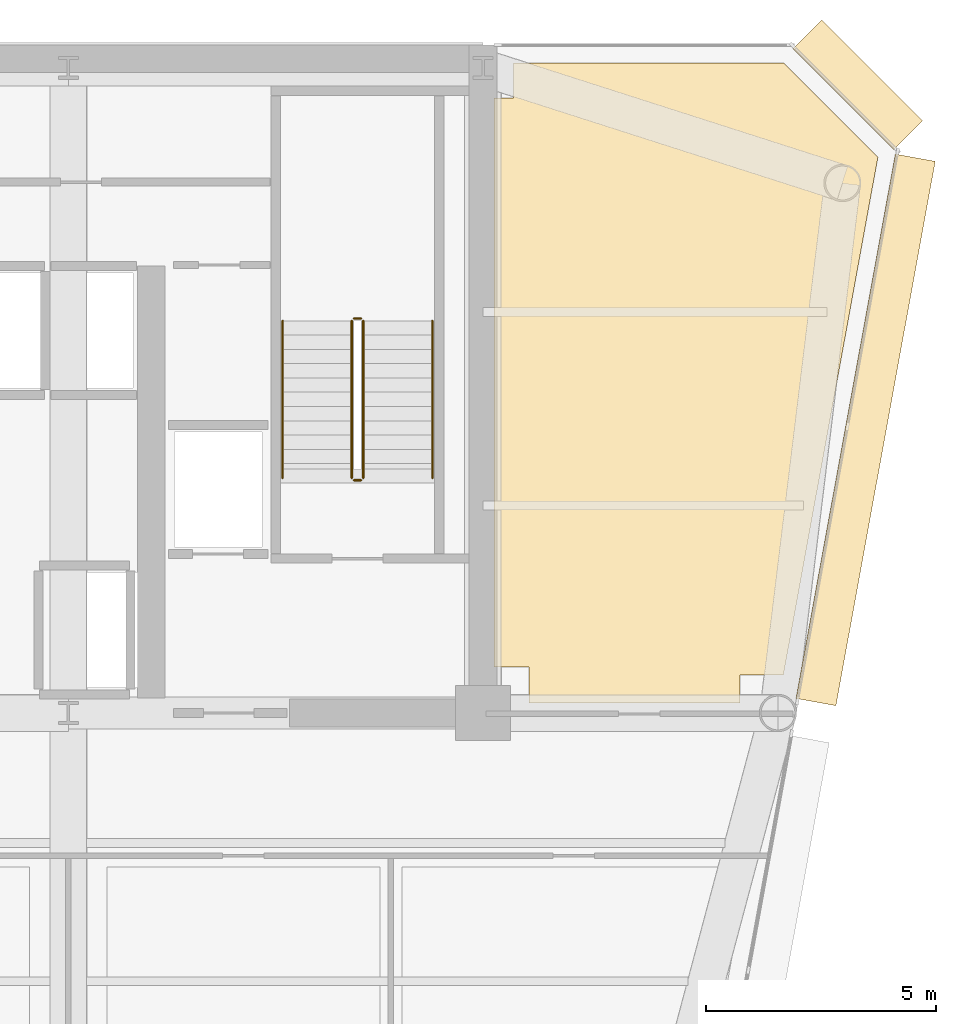
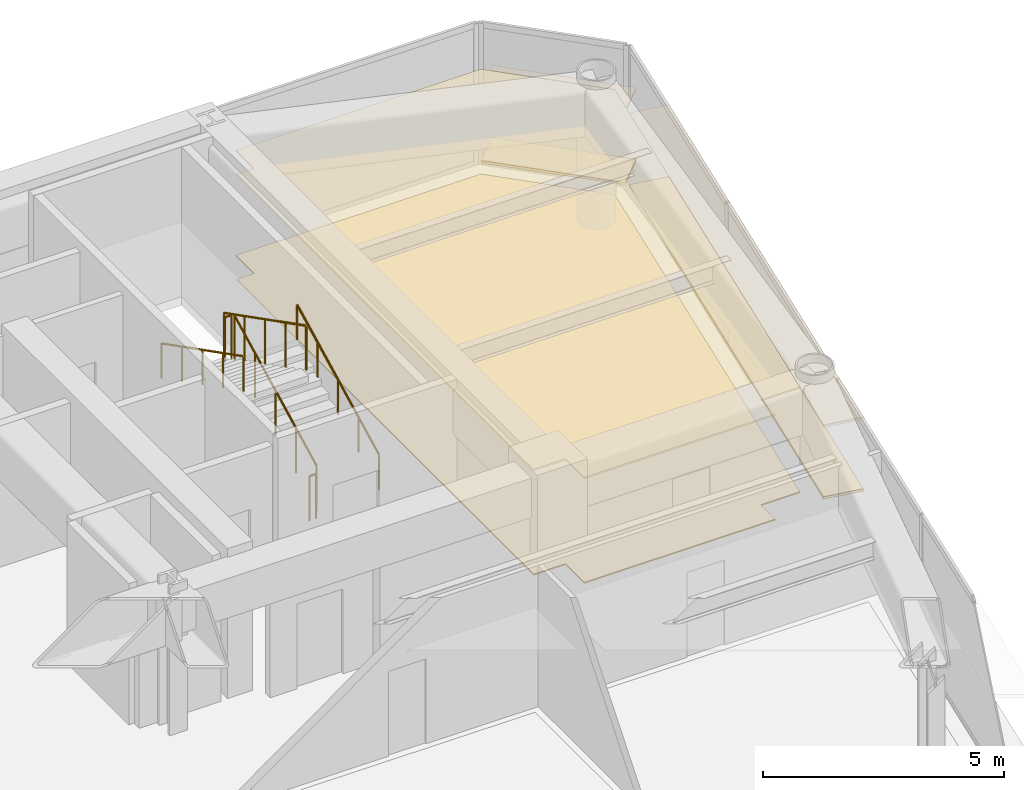
# One storey, part 17 of 17: 6 coverings, 6 railings.
"""IFC4 building model written with IfcOpenShell, lengths in metres."""

from ifc_helpers import new_model, si_unit, direction, frame, origin, origin_2d, place, context, subcontext, project, spatial, polyline, rectangle, circle, outline, extrude, source, transform, mapped, material, layer, layer_set, type_object, element, save


model = new_model("IFC4")

# Units and contexts
model_context = context("Model", 3, precision=1e-05, world=origin(), true_north=direction((0.0, 1.0)))
body_context = subcontext(model_context, "Body", "Model", "MODEL_VIEW")
ifc_project = project(units=[si_unit("LENGTHUNIT", "METRE"), si_unit("AREAUNIT", "SQUARE_METRE"), si_unit("VOLUMEUNIT", "CUBIC_METRE"), si_unit("PLANEANGLEUNIT", "RADIAN"), si_unit("MASSUNIT", "GRAM", prefix="KILO")], contexts=[model_context])

# Site, building, storey
site_placement = place(None, origin())
site = spatial("IfcSite", under=ifc_project, at=site_placement, CompositionType="ELEMENT")
building_placement = place(site_placement, origin())
building = spatial("IfcBuilding", under=site, at=building_placement, Name="Vaeldorn Concourse Tower", CompositionType="ELEMENT")
storey_placement = place(building_placement, frame((0.0, 0.0, 176.60009765625)))
storey = spatial("IfcBuildingStorey", under=building, at=storey_placement, Name="L45", CompositionType="ELEMENT", Elevation=176.60009765625)

# Coverings
ifc_material_1 = material(Name="Acoustic Mineral Fibre Board", Category="gypsum")
ifc_layer_1 = layer(ifc_material_1, 0.0400390625)
ifc_layer_set_1 = layer_set([ifc_layer_1], Name="Acoustic Mineral Fibre Board")
covering_type_1 = type_object("IfcCoveringType", Name="COV-CEIL-ACOUSTIC", PredefinedType="CEILING", material=ifc_layer_set_1)
covering_1_placement = place(storey_placement, frame((0.0, 0.0, 2.64990234375)))
element("IfcCovering", 1, at=covering_1_placement, inside=storey, type_object=covering_type_1, Name="Suspended Acoustic Ceiling L45-4", PredefinedType="CEILING", context=body_context, shape_type="SweptSolid", body=[
    extrude(outline(polyline([(54.659912109375, 49.840087890625), (54.659912109375, 50.60009765625), (60.5341796875, 50.60009765625), (62.56884765625, 48.5654296875), (60.517578125, 37.320068359375), (59.580078125, 37.320068359375), (59.580078125, 36.719970703125), (55.0, 36.719970703125), (55.0, 37.5), (54.239990234375, 37.5), (54.239990234375, 49.840087890625), (54.659912109375, 49.840087890625)])), origin(), (0.0, 0.0, 1.0), 0.0400390625),
])
ifc_material_2 = material(Name="Honed Limestone Terrazzo Flooring", Category="masonry")
ifc_layer_2 = layer(ifc_material_2, 0.0400390625)
ifc_layer_set_2 = layer_set([ifc_layer_2], Name="Honed Limestone Terrazzo Flooring")
covering_type_2 = type_object("IfcCoveringType", Name="COV-FLOOR-STONE", PredefinedType="FLOORING", material=ifc_layer_set_2)
covering_2_placement = place(storey_placement, origin())
element("IfcCovering", 2, at=covering_2_placement, inside=storey, type_object=covering_type_2, Name="Floor Finish Covering L45-4", PredefinedType="FLOORING", context=body_context, shape_type="SweptSolid", body=[
    extrude(outline(polyline([(54.659912109375, 49.840087890625), (54.659912109375, 50.60009765625), (60.5341796875, 50.60009765625), (62.56884765625, 48.5654296875), (60.517578125, 37.320068359375), (59.580078125, 37.320068359375), (59.580078125, 36.719970703125), (55.0, 36.719970703125), (55.0, 37.5), (54.239990234375, 37.5), (54.239990234375, 49.840087890625), (54.659912109375, 49.840087890625)])), origin(), (0.0, 0.0, 1.0), 0.02978515625),
])

# Railings
ifc_material_3 = material(Name="Anodised Bronze Aluminium", Category="aluminium")
railing_type_1 = type_object("IfcRailingType", Name="RL-STAIR-GUARD", PredefinedType="GUARDRAIL", material=ifc_material_3)
railing_1_placement = place(storey_placement, frame((51.39990234375, 41.60009765625, 0.158203125)))
element("IfcRailing", 3, at=railing_1_placement, inside=storey, type_object=railing_type_1, Name="L45 ST-2 stair guard 1", PredefinedType="GUARDRAIL", context=body_context, shape_type="SweptSolid", body=[
    extrude(circle(Radius=0.02392578125, at=origin_2d()), frame((0.0, 0.0, 1.1259765625), z_axis=(0.0, 0.890555807335, 0.454873997962), x_axis=(-1.0, 0.0, 0.0)), (0.0, 0.0, 1.0), 3.828857421875),
    extrude(circle(Radius=0.02099609375, at=origin_2d()), origin(), (0.0, 0.0, 1.0), 1.101806640625),
    extrude(circle(Radius=0.02099609375, at=origin_2d()), frame((0.0, 0.8525390625, 0.435546875)), (0.0, 0.0, 1.0), 1.101806640625),
    extrude(circle(Radius=0.02099609375, at=origin_2d()), frame((0.0, 1.705078125, 0.870849609375)), (0.0, 0.0, 1.0), 1.101806640625),
    extrude(circle(Radius=0.02099609375, at=origin_2d()), frame((0.0, 2.557373046875, 1.30615234375)), (0.0, 0.0, 1.0), 1.101806640625),
    extrude(circle(Radius=0.02099609375, at=origin_2d()), frame((0.0, 3.409912109375, 1.74169921875)), (0.0, 0.0, 1.0), 1.101806640625),
])
railing_2_placement = place(storey_placement, frame((51.35009765625, 45.06005859375, 1.89990234375)))
element("IfcRailing", 4, at=railing_2_placement, inside=storey, type_object=railing_type_1, Name="L45 ST-2 stair guard 2", PredefinedType="GUARDRAIL", context=body_context, shape_type="SweptSolid", body=[
    extrude(circle(Radius=0.02392578125, at=origin_2d()), frame((0.0, 0.0, 1.1259765625), z_axis=(-1.0, 0.0, 0.0), x_axis=(0.0, -1.0, 0.0)), (0.0, 0.0, 1.0), 0.150146484375),
    extrude(circle(Radius=0.02099609375, at=origin_2d()), origin(), (0.0, 0.0, 1.0), 1.101806640625),
    extrude(circle(Radius=0.02099609375, at=origin_2d()), frame((-0.150146484375, 0.0, 0.0)), (0.0, 0.0, 1.0), 1.101806640625),
])
railing_3_placement = place(storey_placement, frame((51.14990234375, 45.010009765625, 2.058349609375)))
element("IfcRailing", 5, at=railing_3_placement, inside=storey, type_object=railing_type_1, Name="L45 ST-2 stair guard 3", PredefinedType="GUARDRAIL", context=body_context, shape_type="SweptSolid", body=[
    extrude(circle(Radius=0.02392578125, at=origin_2d()), frame((0.0, 0.0, 1.1259765625), z_axis=(0.0, -0.890581635807, 0.454823427236), x_axis=(1.0, 0.0, 0.0)), (0.0, 0.0, 1.0), 3.828857421875),
    extrude(circle(Radius=0.02099609375, at=origin_2d()), origin(), (0.0, 0.0, 1.0), 1.101806640625),
    extrude(circle(Radius=0.02099609375, at=origin_2d()), frame((0.0, -0.8525390625, 0.435302734375)), (0.0, 0.0, 1.0), 1.101806640625),
    extrude(circle(Radius=0.02099609375, at=origin_2d()), frame((0.0, -1.705078125, 0.87060546875)), (0.0, 0.0, 1.0), 1.101806640625),
    extrude(circle(Radius=0.02099609375, at=origin_2d()), frame((0.0, -2.557373046875, 1.30615234375)), (0.0, 0.0, 1.0), 1.101806640625),
    extrude(circle(Radius=0.02099609375, at=origin_2d()), frame((0.0, -3.409912109375, 1.741455078125)), (0.0, 0.0, 1.0), 1.101806640625),
])
railing_4_placement = place(storey_placement, frame((51.35009765625, 41.550048828125, 0.0)))
element("IfcRailing", 6, at=railing_4_placement, inside=storey, type_object=railing_type_1, Name="L45 ST-2 stair guard 4", PredefinedType="GUARDRAIL", context=body_context, shape_type="SweptSolid", body=[
    extrude(circle(Radius=0.02392578125, at=origin_2d()), frame((0.0, 0.0, 1.1259765625), z_axis=(-1.0, 0.0, 0.0), x_axis=(0.0, -1.0, 0.0)), (0.0, 0.0, 1.0), 0.150146484375),
    extrude(circle(Radius=0.02099609375, at=origin_2d()), origin(), (0.0, 0.0, 1.0), 1.101806640625),
    extrude(circle(Radius=0.02099609375, at=origin_2d()), frame((-0.150146484375, 0.0, 0.0)), (0.0, 0.0, 1.0), 1.101806640625),
])
railing_type_2 = type_object("IfcRailingType", Name="RL-STAIR-HANDRAIL", PredefinedType="HANDRAIL", material=ifc_material_3)
railing_5_placement = place(storey_placement, frame((52.89990234375, 41.60009765625, 0.158203125)))
element("IfcRailing", 7, at=railing_5_placement, inside=storey, type_object=railing_type_2, Name="L45 ST-2 stair handrail 1", PredefinedType="HANDRAIL", context=body_context, shape_type="SweptSolid", body=[
    extrude(circle(Radius=0.02392578125, at=origin_2d()), frame((0.0, 0.0, 0.8759765625), z_axis=(0.0, 0.890555807335, 0.454873997962), x_axis=(-1.0, 0.0, 0.0)), (0.0, 0.0, 1.0), 3.828857421875),
    extrude(circle(Radius=0.02099609375, at=origin_2d()), origin(), (0.0, 0.0, 1.0), 0.851806640625),
    extrude(circle(Radius=0.02099609375, at=origin_2d()), frame((0.0, 0.8525390625, 0.435546875)), (0.0, 0.0, 1.0), 0.851806640625),
    extrude(circle(Radius=0.02099609375, at=origin_2d()), frame((0.0, 1.705078125, 0.870849609375)), (0.0, 0.0, 1.0), 0.851806640625),
    extrude(circle(Radius=0.02099609375, at=origin_2d()), frame((0.0, 2.557373046875, 1.30615234375)), (0.0, 0.0, 1.0), 0.851806640625),
    extrude(circle(Radius=0.02099609375, at=origin_2d()), frame((0.0, 3.409912109375, 1.74169921875)), (0.0, 0.0, 1.0), 0.851806640625),
])
railing_6_placement = place(storey_placement, frame((49.64990234375, 45.010009765625, 2.058349609375)))
element("IfcRailing", 8, at=railing_6_placement, inside=storey, type_object=railing_type_2, Name="L45 ST-2 stair handrail 2", PredefinedType="HANDRAIL", context=body_context, shape_type="SweptSolid", body=[
    extrude(circle(Radius=0.02392578125, at=origin_2d()), frame((0.0, 0.0, 0.8759765625), z_axis=(0.0, -0.890581635807, 0.454823427236), x_axis=(1.0, 0.0, 0.0)), (0.0, 0.0, 1.0), 3.828857421875),
    extrude(circle(Radius=0.02099609375, at=origin_2d()), origin(), (0.0, 0.0, 1.0), 0.851806640625),
    extrude(circle(Radius=0.02099609375, at=origin_2d()), frame((0.0, -0.8525390625, 0.435302734375)), (0.0, 0.0, 1.0), 0.851806640625),
    extrude(circle(Radius=0.02099609375, at=origin_2d()), frame((0.0, -1.705078125, 0.87060546875)), (0.0, 0.0, 1.0), 0.851806640625),
    extrude(circle(Radius=0.02099609375, at=origin_2d()), frame((0.0, -2.557373046875, 1.30615234375)), (0.0, 0.0, 1.0), 0.851806640625),
    extrude(circle(Radius=0.02099609375, at=origin_2d()), frame((0.0, -3.409912109375, 1.741455078125)), (0.0, 0.0, 1.0), 0.851806640625),
])

# Coverings
ifc_layer_3 = layer(ifc_material_3, 0.06494140625)
ifc_layer_set_3 = layer_set([ifc_layer_3], Name="Anodised Bronze Aluminium")
covering_type_3 = type_object("IfcCoveringType", Name="SD-BRONZE-SUNSHADE", PredefinedType="USERDEFINED", material=ifc_layer_set_3)
shared_shape_1 = source(origin(), body_context, "Body", "SweptSolid", [
    extrude(rectangle(XDim=3.0927734375, YDim=0.8798828125, at=origin_2d()), origin(), (0.0, 0.0, 1.0), 0.06494140625),
])
for number, where, z_axis, x_axis, name in (
    (9, (62.1328125, 50.1328125, 0.04736328125), (0.0, 0.0, 1.0), (-0.707106781187, 0.707106781187, 0.0), "Horizontal Bronze Sunshade L45-E08.1.1"),
    (10, (62.1328125, 50.1328125, 1.867431640625), (0.0, 0.0, 1.0), (-0.707106781187, 0.707106781187, 0.0), "Horizontal Bronze Sunshade L45-E08.1.2"),
):
    element("IfcCovering", number, at=place(storey_placement, frame(where, z_axis=z_axis, x_axis=x_axis)), inside=storey, type_object=covering_type_3, Name=name, ObjectType="SUNSHADE", PredefinedType="USERDEFINED", context=body_context, shape_type="MappedRepresentation", body=[
        mapped(shared_shape_1, transform((0.0, 0.0, 0.0), scale=1.0)),
    ])
shared_shape_2 = source(origin(), body_context, "Body", "SweptSolid", [
    extrude(rectangle(XDim=12.0078125, YDim=0.8798828125, at=origin_2d()), origin(), (0.0, 0.0, 1.0), 0.06494140625),
])
for number, where, z_axis, x_axis, name in (
    (11, (62.3017578125, 42.64306640625, 0.04736328125), (0.0, 0.0, 1.0), (0.179454713012, 0.983766235433, 0.0), "Horizontal Bronze Sunshade L45-E07.2.1"),
    (12, (62.3017578125, 42.64306640625, 1.867431640625), (0.0, 0.0, 1.0), (0.179454713012, 0.983766235433, 0.0), "Horizontal Bronze Sunshade L45-E07.2.2"),
):
    element("IfcCovering", number, at=place(storey_placement, frame(where, z_axis=z_axis, x_axis=x_axis)), inside=storey, type_object=covering_type_3, Name=name, ObjectType="SUNSHADE", PredefinedType="USERDEFINED", context=body_context, shape_type="MappedRepresentation", body=[
        mapped(shared_shape_2, transform((0.0, 0.0, 0.0), scale=1.0)),
    ])

save(model, "model.ifc")
